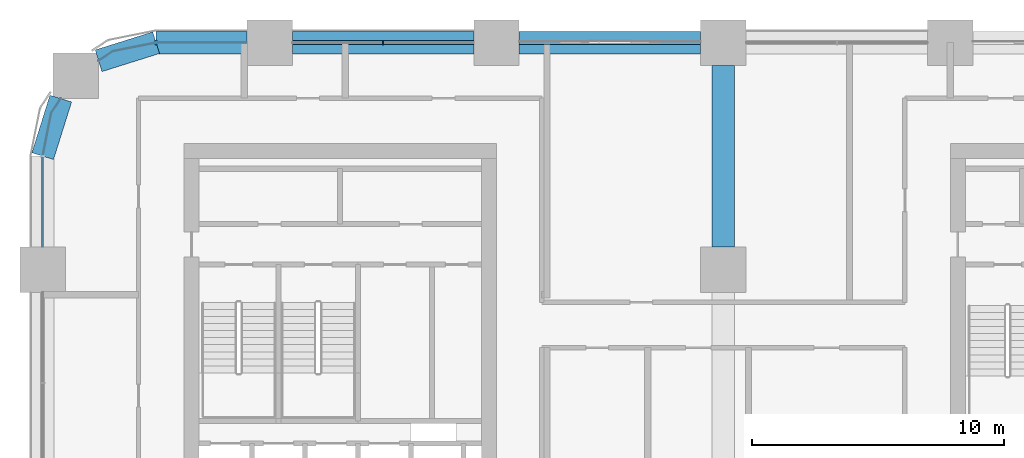
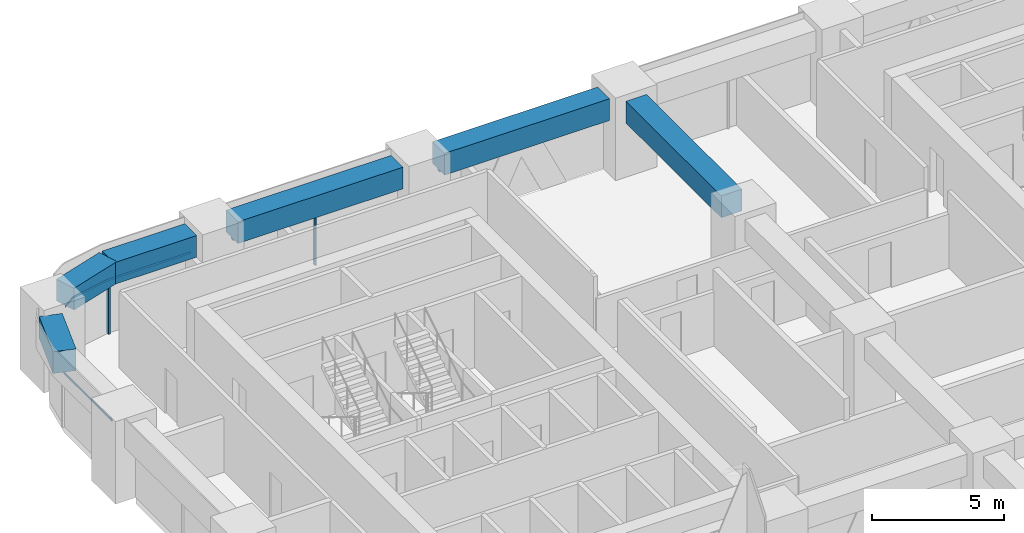
# One storey, part 8 of 24: 6 beams, 6 members, 4 elements without a shape of their own.
"""IFC4 building model written with IfcOpenShell, lengths in metres."""

from ifc_helpers import new_model, si_unit, direction, frame, origin, origin_2d, place, context, subcontext, project, spatial, polyline, rectangle, outline, extrude, material, material_profile, profile_set, type_object, element, aggregate, save


model = new_model("IFC4")

# Units and contexts
model_context = context("Model", 3, precision=1e-05, world=origin(), true_north=direction((0.0, 1.0)))
body_context = subcontext(model_context, "Body", "Model", "MODEL_VIEW")
ifc_project = project(units=[si_unit("LENGTHUNIT", "METRE"), si_unit("AREAUNIT", "SQUARE_METRE"), si_unit("VOLUMEUNIT", "CUBIC_METRE"), si_unit("PLANEANGLEUNIT", "RADIAN"), si_unit("MASSUNIT", "GRAM", prefix="KILO")], contexts=[model_context])

# Site, building, storey
site_placement = place(None, origin())
site = spatial("IfcSite", under=ifc_project, at=site_placement, CompositionType="ELEMENT")
building_placement = place(site_placement, origin())
building = spatial("IfcBuilding", under=site, at=building_placement, Name="Tessera Arch", CompositionType="ELEMENT")
storey_placement = place(building_placement, frame((0.0, 0.0, 81.60009765625)))
storey = spatial("IfcBuildingStorey", under=building, at=storey_placement, Name="L18", CompositionType="ELEMENT", Elevation=81.60009765625)

# Curtain wall, members
ifc_material_1 = material(Name="CW1 curtain wall")
curtain_wall_type_1 = type_object("IfcCurtainWallType", Name="CW1 curtain wall", PredefinedType="NOTDEFINED", material=ifc_material_1)
curtain_wall_1_placement = place(storey_placement, origin())
curtain_wall_1 = element("IfcCurtainWall", 1, at=curtain_wall_1_placement, inside=storey, type_object=curtain_wall_type_1, Name="CW1 curtain wall N54.0/3 L18", PredefinedType="NOTDEFINED")
ifc_material_2 = material(Name="Anodised aluminium pale metal", Category="aluminium")
ifc_material_profile_1 = material_profile(ifc_material_2, rectangle(XDim=0.159912109375, YDim=0.06005859375, at=origin_2d()), Name="AL 60x160")
ifc_profile_set_1 = profile_set([ifc_material_profile_1], Name="Anodised aluminium pale metal")
member_type_1 = type_object("IfcMemberType", Name="CW1 mullion", PredefinedType="MULLION", material=ifc_profile_set_1)
member_1_placement = place(storey_placement, frame((13.5, 54.0, 0.0), z_axis=(0.0, 0.0, 1.0), x_axis=(0.0, -1.0, 0.0)))
member_1 = element("IfcMember", 2, at=member_1_placement, type_object=member_type_1, Name="CW1 mullion N54.0/3 1", PredefinedType="MULLION", context=body_context, shape_type="SweptSolid", body=[
    extrude(rectangle(XDim=0.159912109375, YDim=0.06005859375, at=origin_2d()), origin(), (0.0, 0.0, 1.0), 2.39990234375),
])
ifc_material_3 = material(Name="Anodised aluminium pale metal", Category="aluminium")
ifc_material_profile_2 = material_profile(ifc_material_3, rectangle(XDim=0.159912109375, YDim=0.10009765625, at=origin_2d()), Name="AL 160x100")
ifc_profile_set_2 = profile_set([ifc_material_profile_2], Name="Anodised aluminium pale metal")
member_type_2 = type_object("IfcMemberType", Name="CW1 transom", PredefinedType="USERDEFINED", material=ifc_profile_set_2)
member_2_placement = place(storey_placement, frame((17.10009765625, 54.0, 2.449951171875), z_axis=(-1.0, 0.0, 0.0), x_axis=(0.0, -1.0, 0.0)))
member_2 = element("IfcMember", 3, at=member_2_placement, type_object=member_type_2, Name="CW1 transom N54.0/3 1.1", ObjectType="TRANSOM", PredefinedType="USERDEFINED", context=body_context, shape_type="SweptSolid", body=[
    extrude(rectangle(XDim=0.159912109375, YDim=0.10009765625, at=origin_2d()), origin(), (0.0, 0.0, 1.0), 7.2001953125),
])
aggregate(curtain_wall_1, [member_1, member_2])

ifc_material_4 = material(Name="CW2 curtain wall")
curtain_wall_type_2 = type_object("IfcCurtainWallType", Name="CW2 curtain wall", PredefinedType="NOTDEFINED", material=ifc_material_4)
curtain_wall_2_placement = place(storey_placement, origin())
curtain_wall_2 = element("IfcCurtainWall", 4, at=curtain_wall_2_placement, inside=storey, type_object=curtain_wall_type_2, Name="CW2 curtain wall N54.0/4 L18", PredefinedType="NOTDEFINED")
ifc_material_5 = material(Name="Anodised aluminium pale metal", Category="aluminium")
ifc_material_profile_3 = material_profile(ifc_material_5, rectangle(XDim=0.199951171875, YDim=0.080078125, at=origin_2d()), Name="AL 80x200")
ifc_profile_set_3 = profile_set([ifc_material_profile_3], Name="Anodised aluminium pale metal")
member_type_3 = type_object("IfcMemberType", Name="CW2 mullion", PredefinedType="MULLION", material=ifc_profile_set_3)
member_3_placement = place(storey_placement, frame((4.5, 54.0, 0.0), z_axis=(0.0, 0.0, 1.0), x_axis=(0.0, -1.0, 0.0)))
member_3 = element("IfcMember", 5, at=member_3_placement, type_object=member_type_3, Name="CW2 mullion N54.0/4 1", PredefinedType="MULLION", context=body_context, shape_type="SweptSolid", body=[
    extrude(rectangle(XDim=0.199951171875, YDim=0.080078125, at=origin_2d()), origin(), (0.0, 0.0, 1.0), 2.39990234375),
])
ifc_material_6 = material(Name="Anodised aluminium pale metal", Category="aluminium")
ifc_material_profile_4 = material_profile(ifc_material_6, rectangle(XDim=0.199951171875, YDim=0.10009765625, at=origin_2d()), Name="AL 200x100")
ifc_profile_set_4 = profile_set([ifc_material_profile_4], Name="Anodised aluminium pale metal")
member_type_4 = type_object("IfcMemberType", Name="CW2 transom", PredefinedType="USERDEFINED", material=ifc_profile_set_4)
member_4_placement = place(storey_placement, frame((0.0, 0.0, 2.39990234375)))
member_4 = element("IfcMember", 6, at=member_4_placement, type_object=member_type_4, Name="CW2 transom N54.0/4 1", ObjectType="TRANSOM", PredefinedType="USERDEFINED", context=body_context, shape_type="SweptSolid", body=[
    extrude(outline(polyline([(4.5009765625, 53.989990234375), (8.10009765625, 53.989990234375), (8.10009765625, 54.010009765625), (4.4990234375, 54.010009765625), (2.77392578125, 53.6669921875), (2.21240234375, 53.29150390625), (2.2236328125, 53.27490234375), (2.78173828125, 53.648193359375), (4.5009765625, 53.989990234375)])), origin(), (0.0, 0.0, 1.0), 0.10009765625),
])
aggregate(curtain_wall_2, [member_3, member_4])

# Curtain wall, member
curtain_wall_3_placement = place(storey_placement, origin())
curtain_wall_3 = element("IfcCurtainWall", 7, at=curtain_wall_3_placement, inside=storey, type_object=curtain_wall_type_2, Name="CW2 curtain wall W0.27/0 L18", PredefinedType="NOTDEFINED")
member_5_placement = place(storey_placement, frame((0.0, 0.0, 2.39990234375)))
member_5 = element("IfcMember", 8, at=member_5_placement, type_object=member_type_4, Name="CW2 transom W0.27/0 1", ObjectType="TRANSOM", PredefinedType="USERDEFINED", context=body_context, shape_type="SweptSolid", body=[
    extrude(outline(polyline([(0.351806640625, 51.21826171875), (0.72509765625, 51.7763671875), (0.70849609375, 51.78759765625), (0.3330078125, 51.22607421875), (-0.010009765625, 49.5009765625), (-0.010009765625, 45.89990234375), (0.010009765625, 45.89990234375), (0.010009765625, 49.4990234375), (0.351806640625, 51.21826171875)])), origin(), (0.0, 0.0, 1.0), 0.10009765625),
])
aggregate(curtain_wall_3, [member_5])

ifc_material_7 = material(Name="CW3 curtain wall")
curtain_wall_type_3 = type_object("IfcCurtainWallType", Name="CW3 curtain wall", PredefinedType="NOTDEFINED", material=ifc_material_7)
curtain_wall_4_placement = place(storey_placement, origin())
curtain_wall_4 = element("IfcCurtainWall", 9, at=curtain_wall_4_placement, inside=storey, type_object=curtain_wall_type_3, Name="CW3 curtain wall N54.0/2 L18", PredefinedType="NOTDEFINED")
ifc_material_8 = material(Name="Anodised aluminium pale metal", Category="aluminium")
ifc_material_profile_5 = material_profile(ifc_material_8, rectangle(XDim=0.139892578125, YDim=0.10009765625, at=origin_2d()), Name="AL 140x100")
ifc_profile_set_5 = profile_set([ifc_material_profile_5], Name="Anodised aluminium pale metal")
member_type_5 = type_object("IfcMemberType", Name="CW3 transom", PredefinedType="USERDEFINED", material=ifc_profile_set_5)
member_6_placement = place(storey_placement, frame((26.10009765625, 54.0, 2.449951171875), z_axis=(-1.0, 0.0, 0.0), x_axis=(0.0, -1.0, 0.0)))
member_6 = element("IfcMember", 10, at=member_6_placement, type_object=member_type_5, Name="CW3 transom N54.0/2 1.1", ObjectType="TRANSOM", PredefinedType="USERDEFINED", context=body_context, shape_type="SweptSolid", body=[
    extrude(rectangle(XDim=0.139892578125, YDim=0.10009765625, at=origin_2d()), origin(), (0.0, 0.0, 1.0), 7.2001953125),
])
aggregate(curtain_wall_4, [member_6])

# Beams
ifc_material_9 = material(Name="Concrete C80/95", Category="concrete")
ifc_material_profile_6 = material_profile(ifc_material_9, rectangle(XDim=0.89990234375, YDim=1.0, at=origin_2d()), Name="RC spandrel beam 900 x 1000 Concrete C80/95")
ifc_profile_set_6 = profile_set([ifc_material_profile_6], Name="Concrete C80/95")
beam_type = type_object("IfcBeamType", Name="RC spandrel beam 900 x 1000 Concrete C80/95", PredefinedType="BEAM", material=ifc_profile_set_6)
for number, where, z_axis, x_axis, name in (
    (11, (26.10009765625, 54.0, 3.0), (-1.0, 0.0, 0.0), (0.0, -1.0, 0.0), "Spandrel beam L18 N54.0/2"),
    (12, (17.10009765625, 54.0, 3.0), (-1.0, 0.0, 0.0), (0.0, -1.0, 0.0), "Spandrel beam L18 N54.0/3"),
):
    element("IfcBeam", number, at=place(storey_placement, frame(where, z_axis=z_axis, x_axis=x_axis)), inside=storey, type_object=beam_type, Name=name, PredefinedType="BEAM", context=body_context, shape_type="SweptSolid", body=[
        extrude(rectangle(XDim=0.89990234375, YDim=1.0, at=origin_2d()), origin(), (0.0, 0.0, 1.0), 7.2001953125),
    ])
beam_1_placement = place(storey_placement, frame((8.10009765625, 54.0, 3.0), z_axis=(-1.0, 0.0, 0.0), x_axis=(0.0, -1.0, 0.0)))
element("IfcBeam", 13, at=beam_1_placement, inside=storey, type_object=beam_type, Name="Spandrel beam L18 N54.0/4.1", PredefinedType="BEAM", context=body_context, shape_type="SweptSolid", body=[
    extrude(rectangle(XDim=0.89990234375, YDim=1.0, at=origin_2d()), origin(), (0.0, 0.0, 1.0), 3.60009765625),
])
for number, where, z_axis, x_axis, name in (
    (14, (4.5, 54.0, 3.0), (-0.954041251279, -0.299675309057, 0.0), (0.299675309057, -0.954041251279, 0.0), "Spandrel beam L18 N54.0/4.2"),
    (15, (0.716796875, 51.781982421875, 3.0), (-0.299675309057, -0.954041251279, 0.0), (0.954041251279, -0.299675309057, 0.0), "Spandrel beam L18 W0.27/0.1"),
):
    element("IfcBeam", number, at=place(storey_placement, frame(where, z_axis=z_axis, x_axis=x_axis)), inside=storey, type_object=beam_type, Name=name, PredefinedType="BEAM", context=body_context, shape_type="SweptSolid", body=[
        extrude(rectangle(XDim=0.89990234375, YDim=1.0, at=origin_2d()), origin(), (0.0, 0.0, 1.0), 2.391845703125),
    ])
beam_2_placement = place(storey_placement, frame((27.0, 45.89990234375, 3.0), z_axis=(0.0, 1.0, 0.0), x_axis=(-1.0, 0.0, 0.0)))
element("IfcBeam", 16, at=beam_2_placement, inside=storey, type_object=beam_type, Name="Interface beam L18 I0C4F-C4G", PredefinedType="BEAM", context=body_context, shape_type="SweptSolid", body=[
    extrude(rectangle(XDim=0.89990234375, YDim=1.0, at=origin_2d()), origin(), (0.0, 0.0, 1.0), 7.2001953125),
])

save(model, "model.ifc")
